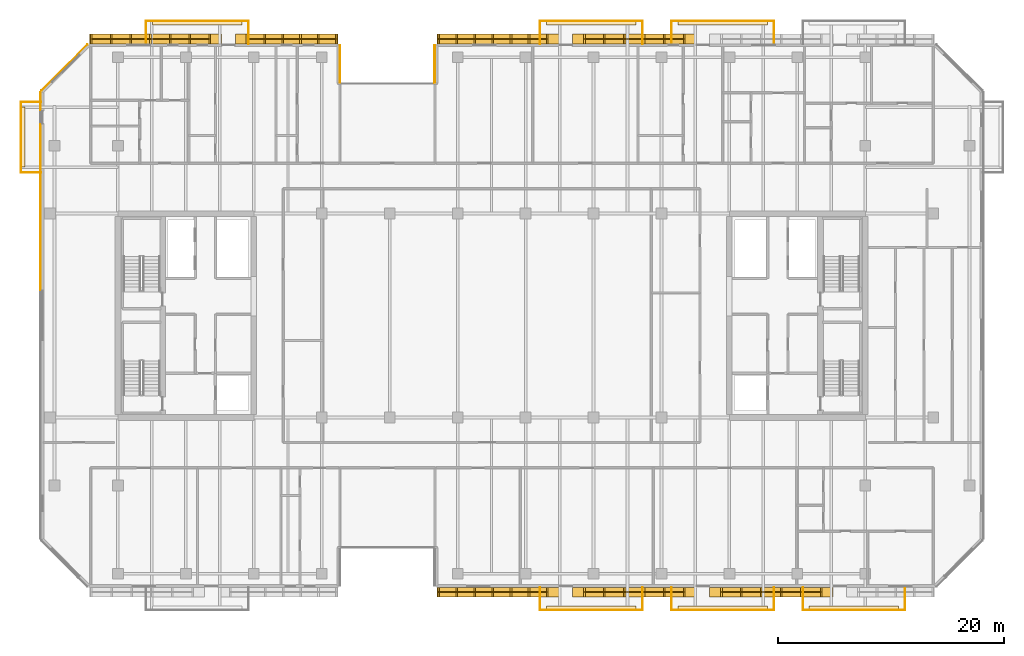
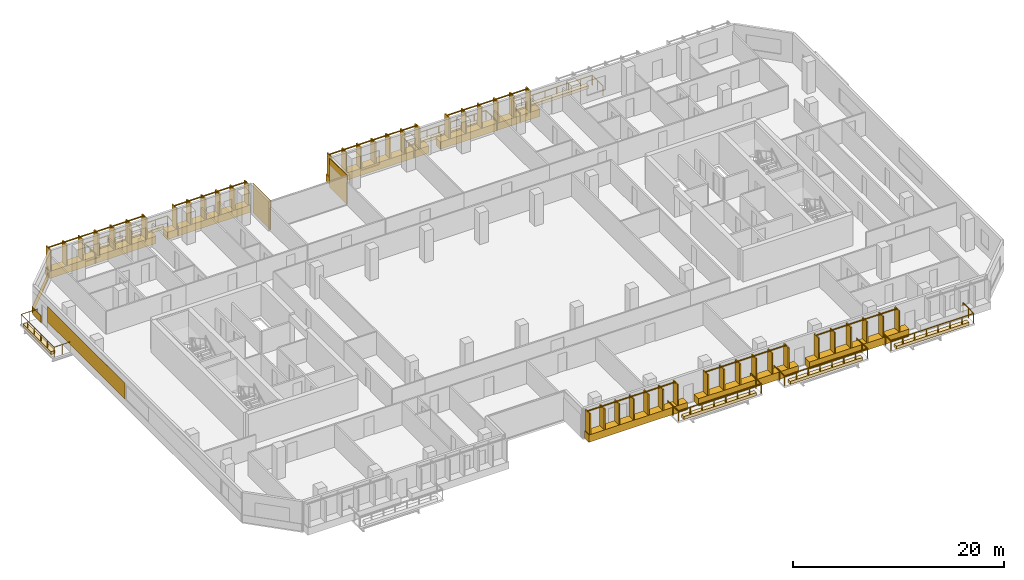
# One storey, part 20 of 22: 19 coverings, 14 railings.
"""IFC4 building model written with IfcOpenShell, lengths in metres."""

from ifc_helpers import new_model, si_unit, direction, frame, origin, origin_2d, place, context, subcontext, project, spatial, polyline, rectangle, outline, extrude, material, layer, layer_set, type_object, element, save


model = new_model("IFC4")

# Units and contexts
model_context = context("Model", 3, precision=1e-05, world=origin(), true_north=direction((0.0, 1.0)))
body_context = subcontext(model_context, "Body", "Model", "MODEL_VIEW")
ifc_project = project(units=[si_unit("LENGTHUNIT", "METRE"), si_unit("AREAUNIT", "SQUARE_METRE"), si_unit("VOLUMEUNIT", "CUBIC_METRE"), si_unit("PLANEANGLEUNIT", "RADIAN"), si_unit("MASSUNIT", "GRAM", prefix="KILO")], contexts=[model_context])

# Site, building, storey
site_placement = place(None, origin())
site = spatial("IfcSite", under=ifc_project, at=site_placement, CompositionType="ELEMENT")
building_placement = place(site_placement, origin())
building = spatial("IfcBuilding", under=site, at=building_placement, Name="Tanjung Sevakor Pilgrim Tower", CompositionType="ELEMENT")
storey_placement = place(building_placement, frame((0.0, 0.0, 115.830078125)))
storey = spatial("IfcBuildingStorey", under=building, at=storey_placement, Name="L32", CompositionType="ELEMENT", Elevation=115.830078125)

# Coverings
ifc_material_1 = material(Name="Reconstructed Limestone Cladding", Category="masonry")
ifc_layer_1 = layer(ifc_material_1, 0.044921875)
ifc_layer_set_1 = layer_set([ifc_layer_1], Name="COV-CLAD-LIMESTONE")
covering_type_1 = type_object("IfcCoveringType", Name="COV-CLAD-LIMESTONE", PredefinedType="CLADDING", material=ifc_layer_set_1)
covering_1_placement = place(storey_placement, frame((57.552490234375, 9.169921875, 0.009765625), z_axis=(0.0, 0.0, 1.0), x_axis=(1.0, 0.0, 0.0)))
element("IfcCovering", 1, at=covering_1_placement, inside=storey, type_object=covering_type_1, Name="L32 Warm Limestone Sill Spandrel EW-L32-MAIN-5-1", PredefinedType="CLADDING", context=body_context, shape_type="SweptSolid", body=[
    extrude(rectangle(XDim=10.77490234375, YDim=0.860107421875, at=origin_2d()), origin(), (0.0, 0.0, 1.0), 0.840087890625),
])
for number, where, z_axis, x_axis, name in (
    (2, (69.60009765625, 9.169921875, 0.009765625), (0.0, 0.0, 1.0), (1.0, 0.0, 0.0), "L32 Warm Limestone Sill Spandrel EW-L32-MAIN-5-2"),
    (3, (81.699951171875, 9.169921875, 0.009765625), (0.0, 0.0, 1.0), (1.0, 0.0, 0.0), "L32 Warm Limestone Sill Spandrel EW-L32-MAIN-5-3"),
    (4, (69.60009765625, 58.030029296875, 0.009765625), (0.0, 0.0, 1.0), (-1.0, 0.0, 0.0), "L32 Warm Limestone Sill Spandrel EW-L32-MAIN-9-3"),
):
    element("IfcCovering", number, at=place(storey_placement, frame(where, z_axis=z_axis, x_axis=x_axis)), inside=storey, type_object=covering_type_1, Name=name, PredefinedType="CLADDING", context=body_context, shape_type="SweptSolid", body=[
        extrude(rectangle(XDim=10.8798828125, YDim=0.860107421875, at=origin_2d()), origin(), (0.0, 0.0, 1.0), 0.840087890625),
    ])
covering_2_placement = place(storey_placement, frame((57.552490234375, 58.030029296875, 0.009765625), z_axis=(0.0, 0.0, 1.0), x_axis=(-1.0, 0.0, 0.0)))
element("IfcCovering", 5, at=covering_2_placement, inside=storey, type_object=covering_type_1, Name="L32 Warm Limestone Sill Spandrel EW-L32-MAIN-9-4", PredefinedType="CLADDING", context=body_context, shape_type="SweptSolid", body=[
    extrude(rectangle(XDim=10.77490234375, YDim=0.860107421875, at=origin_2d()), origin(), (0.0, 0.0, 1.0), 0.840087890625),
])
for number, where, z_axis, x_axis, name in (
    (6, (51.9775390625, 55.77490234375, 0.019775390625), (0.0, 0.0, 1.0), (0.0, -1.0, 0.0), "L32 Warm Limestone Wall Cladding EW-L32-MAIN-10"),
    (7, (43.62255859375, 55.77490234375, 0.019775390625), (0.0, 0.0, 1.0), (0.0, 1.0, 0.0), "L32 Warm Limestone Wall Cladding EW-L32-MAIN-12"),
):
    element("IfcCovering", number, at=place(storey_placement, frame(where, z_axis=z_axis, x_axis=x_axis)), inside=storey, type_object=covering_type_1, Name=name, PredefinedType="CLADDING", context=body_context, shape_type="SweptSolid", body=[
        extrude(rectangle(XDim=3.360107421875, YDim=0.044921875, at=origin_2d()), origin(), (0.0, 0.0, 1.0), 3.3701171875),
    ])
covering_3_placement = place(storey_placement, frame((38.8974609375, 58.030029296875, 0.009765625), z_axis=(0.0, 0.0, 1.0), x_axis=(-1.0, 0.0, 0.0)))
element("IfcCovering", 8, at=covering_3_placement, inside=storey, type_object=covering_type_1, Name="L32 Warm Limestone Sill Spandrel EW-L32-MAIN-13-1", PredefinedType="CLADDING", context=body_context, shape_type="SweptSolid", body=[
    extrude(rectangle(XDim=9.074951171875, YDim=0.860107421875, at=origin_2d()), origin(), (0.0, 0.0, 1.0), 0.840087890625),
])
covering_4_placement = place(storey_placement, frame((27.31591796875, 58.030029296875, 0.009765625), z_axis=(0.0, 0.0, 1.0), x_axis=(-1.0, 0.0, 0.0)))
element("IfcCovering", 9, at=covering_4_placement, inside=storey, type_object=covering_type_1, Name="L32 Warm Limestone Sill Spandrel EW-L32-MAIN-13-2", PredefinedType="CLADDING", context=body_context, shape_type="SweptSolid", body=[
    extrude(rectangle(XDim=11.648193359375, YDim=0.860107421875, at=origin_2d()), origin(), (0.0, 0.0, 1.0), 0.840087890625),
])
covering_5_placement = place(storey_placement, frame((19.2841796875, 55.515869140625, 0.009765625), z_axis=(0.0, 0.0, 1.0), x_axis=(-0.707106781187, -0.707106781187, 0.0)))
element("IfcCovering", 10, at=covering_5_placement, inside=storey, type_object=covering_type_1, Name="L32 Warm Limestone Sill Spandrel EW-CHM-L32-MAIN-13-1", PredefinedType="CLADDING", context=body_context, shape_type="SweptSolid", body=[
    extrude(rectangle(XDim=5.756103515625, YDim=0.044921875, at=origin_2d()), origin(), (0.0, 0.0, 1.0), 0.840087890625),
])
covering_6_placement = place(storey_placement, frame((17.177490234375, 52.509033203125, 0.009765625), z_axis=(0.0, 0.0, 1.0), x_axis=(0.0, -1.0, 0.0)))
element("IfcCovering", 11, at=covering_6_placement, inside=storey, type_object=covering_type_1, Name="L32 Warm Limestone Sill Spandrel EW-L32-MAIN-15-1", PredefinedType="CLADDING", context=body_context, shape_type="SweptSolid", body=[
    extrude(rectangle(XDim=1.59814453125, YDim=0.044921875, at=origin_2d()), origin(), (0.0, 0.0, 1.0), 0.840087890625),
])
covering_7_placement = place(storey_placement, frame((17.177490234375, 43.175048828125, 0.849853515625), z_axis=(0.0, 0.0, 1.0), x_axis=(0.0, -1.0, 0.0)))
element("IfcCovering", 12, at=covering_7_placement, inside=storey, type_object=covering_type_1, Name="L32 Warm Limestone Pier Panel EW-L32-MAIN-15-1", PredefinedType="CLADDING", context=body_context, shape_type="SweptSolid", body=[
    extrude(rectangle(XDim=14.64990234375, YDim=0.044921875, at=origin_2d()), origin(), (0.0, 0.0, 1.0), 1.81005859375),
])
ifc_material_2 = material(Name="Vegetated Modular Planter Assembly", Category="organic")
ifc_layer_2 = layer(ifc_material_2, 0.35009765625)
ifc_layer_set_2 = layer_set([ifc_layer_2], Name="COV-GRN-TROUGH")
covering_type_2 = type_object("IfcCoveringType", Name="COV-GRN-TROUGH", PredefinedType="CLADDING", material=ifc_layer_set_2)
covering_8_placement = place(storey_placement, origin())
element("IfcCovering", 13, at=covering_8_placement, inside=storey, type_object=covering_type_2, Name="L32 Planted Landscape Hedge Trough BGRN-L32-MAIN-N1", PredefinedType="CLADDING", context=body_context, shape_type="SweptSolid", body=[
    extrude(outline(polyline([(27.050048828125, 59.260009765625), (34.949951171875, 59.260009765625), (34.949951171875, 59.699951171875), (27.050048828125, 59.699951171875), (27.050048828125, 59.260009765625)])), origin(), (0.0, 0.0, 1.0), 0.349853515625),
])
covering_9_placement = place(storey_placement, origin())
element("IfcCovering", 14, at=covering_9_placement, inside=storey, type_object=covering_type_2, Name="L32 Planted Landscape Hedge Trough BGRN-L32-MAIN-S2", PredefinedType="CLADDING", context=body_context, shape_type="SweptSolid", body=[
    extrude(outline(polyline([(61.85009765625, 7.5), (69.75, 7.5), (69.75, 7.93994140625), (61.85009765625, 7.93994140625), (61.85009765625, 7.5)])), origin(), (0.0, 0.0, 1.0), 0.349853515625),
])
covering_10_placement = place(storey_placement, origin())
element("IfcCovering", 15, at=covering_10_placement, inside=storey, type_object=covering_type_2, Name="L32 Planted Landscape Hedge Trough BGRN-L32-MAIN-N2", PredefinedType="CLADDING", context=body_context, shape_type="SweptSolid", body=[
    extrude(outline(polyline([(61.85009765625, 59.260009765625), (69.75, 59.260009765625), (69.75, 59.699951171875), (61.85009765625, 59.699951171875), (61.85009765625, 59.260009765625)])), origin(), (0.0, 0.0, 1.0), 0.349853515625),
])
covering_11_placement = place(storey_placement, origin())
element("IfcCovering", 16, at=covering_11_placement, inside=storey, type_object=covering_type_2, Name="L32 Planted Landscape Hedge Trough BGRN-L32-MAIN-S3", PredefinedType="CLADDING", context=body_context, shape_type="SweptSolid", body=[
    extrude(outline(polyline([(73.449951171875, 7.5), (81.35009765625, 7.5), (81.35009765625, 7.93994140625), (73.449951171875, 7.93994140625), (73.449951171875, 7.5)])), origin(), (0.0, 0.0, 1.0), 0.349853515625),
])
covering_12_placement = place(storey_placement, origin())
element("IfcCovering", 17, at=covering_12_placement, inside=storey, type_object=covering_type_2, Name="L32 Planted Landscape Hedge Trough BGRN-L32-MAIN-N3", PredefinedType="CLADDING", context=body_context, shape_type="SweptSolid", body=[
    extrude(outline(polyline([(73.449951171875, 59.260009765625), (81.35009765625, 59.260009765625), (81.35009765625, 59.699951171875), (73.449951171875, 59.699951171875), (73.449951171875, 59.260009765625)])), origin(), (0.0, 0.0, 1.0), 0.349853515625),
])
covering_13_placement = place(storey_placement, origin())
element("IfcCovering", 18, at=covering_13_placement, inside=storey, type_object=covering_type_2, Name="L32 Planted Landscape Hedge Trough BGRN-L32-MAIN-S4", PredefinedType="CLADDING", context=body_context, shape_type="SweptSolid", body=[
    extrude(outline(polyline([(85.050048828125, 7.5), (92.949951171875, 7.5), (92.949951171875, 7.93994140625), (85.050048828125, 7.93994140625), (85.050048828125, 7.5)])), origin(), (0.0, 0.0, 1.0), 0.349853515625),
])
covering_14_placement = place(storey_placement, origin())
element("IfcCovering", 19, at=covering_14_placement, inside=storey, type_object=covering_type_2, Name="L32 Planted Landscape Hedge Trough BGRN-L32-MAIN-W1", PredefinedType="CLADDING", context=body_context, shape_type="SweptSolid", body=[
    extrude(outline(polyline([(15.7900390625, 46.699951171875), (15.7900390625, 52.0), (15.35009765625, 52.0), (15.35009765625, 46.699951171875), (15.7900390625, 46.699951171875)])), origin(), (0.0, 0.0, 1.0), 0.349853515625),
])

# Railings
ifc_material_3 = material(Name="Laminated Glass and Aluminium", Category="aluminium")
railing_type_1 = type_object("IfcRailingType", Name="RL-BAL-BALUST", PredefinedType="BALUSTRADE", material=ifc_material_3)
railing_1_placement = place(storey_placement, frame((26.47998046875, 57.60009765625, 0.0)))
element("IfcRailing", 20, at=railing_1_placement, inside=storey, type_object=railing_type_1, Name="L32 Loggia Balustrade MAIN-N1", PredefinedType="BALUSTRADE", context=body_context, shape_type="SweptSolid", body=[
    extrude(rectangle(XDim=0.0479, YDim=0.0479), frame((0.0, 0.0, 1.1259765625), z_axis=(0.0, 1.0, 0.0), x_axis=(-1.0, 0.0, 0.0)), (0.0, 0.0, 1.0), 2.02001953125),
    extrude(rectangle(XDim=0.0479, YDim=0.0479), frame((0.0, 2.02001953125, 1.1259765625), z_axis=(1.0, 0.0, 0.0), x_axis=(0.0, 1.0, 0.0)), (0.0, 0.0, 1.0), 9.0400390625),
    extrude(rectangle(XDim=0.0479, YDim=0.0479), frame((9.0400390625, 2.02001953125, 1.1259765625), z_axis=(0.0, -1.0, 0.0), x_axis=(1.0, 0.0, 0.0)), (0.0, 0.0, 1.0), 2.02001953125),
    extrude(rectangle(XDim=0.042, YDim=0.042), origin(), (0.0, 0.0, 1.0), 1.101806640625),
    extrude(rectangle(XDim=0.042, YDim=0.042), frame((0.0, 1.010009765625, 0.0)), (0.0, 0.0, 1.0), 1.101806640625),
    extrude(rectangle(XDim=0.042, YDim=0.042), frame((0.0, 2.02001953125, 0.0)), (0.0, 0.0, 1.0), 1.101806640625),
    extrude(rectangle(XDim=0.042, YDim=0.042), frame((1.29150390625, 2.02001953125, 0.0)), (0.0, 0.0, 1.0), 1.101806640625),
    extrude(rectangle(XDim=0.042, YDim=0.042), frame((2.582763671875, 2.02001953125, 0.0)), (0.0, 0.0, 1.0), 1.101806640625),
    extrude(rectangle(XDim=0.042, YDim=0.042), frame((3.874267578125, 2.02001953125, 0.0)), (0.0, 0.0, 1.0), 1.101806640625),
    extrude(rectangle(XDim=0.042, YDim=0.042), frame((5.165771484375, 2.02001953125, 0.0)), (0.0, 0.0, 1.0), 1.101806640625),
    extrude(rectangle(XDim=0.042, YDim=0.042), frame((6.457275390625, 2.02001953125, 0.0)), (0.0, 0.0, 1.0), 1.101806640625),
    extrude(rectangle(XDim=0.042, YDim=0.042), frame((7.74853515625, 2.02001953125, 0.0)), (0.0, 0.0, 1.0), 1.101806640625),
    extrude(rectangle(XDim=0.042, YDim=0.042), frame((9.0400390625, 2.02001953125, 0.0)), (0.0, 0.0, 1.0), 1.101806640625),
    extrude(rectangle(XDim=0.042, YDim=0.042), frame((9.0400390625, 1.010009765625, 0.0)), (0.0, 0.0, 1.0), 1.101806640625),
    extrude(rectangle(XDim=0.042, YDim=0.042), frame((9.0400390625, 0.0, 0.0)), (0.0, 0.0, 1.0), 1.101806640625),
])
railing_2_placement = place(storey_placement, frame((61.280029296875, 9.60009765625, 0.0)))
element("IfcRailing", 21, at=railing_2_placement, inside=storey, type_object=railing_type_1, Name="L32 Loggia Balustrade MAIN-S2", PredefinedType="BALUSTRADE", context=body_context, shape_type="SweptSolid", body=[
    extrude(rectangle(XDim=0.0479, YDim=0.0479), frame((0.0, 0.0, 1.1259765625), z_axis=(0.0, -1.0, 0.0), x_axis=(1.0, 0.0, 0.0)), (0.0, 0.0, 1.0), 2.02001953125),
    extrude(rectangle(XDim=0.0479, YDim=0.0479), frame((0.0, -2.02001953125, 1.1259765625), z_axis=(1.0, 0.0, 0.0), x_axis=(0.0, 1.0, 0.0)), (0.0, 0.0, 1.0), 9.0400390625),
    extrude(rectangle(XDim=0.0479, YDim=0.0479), frame((9.0400390625, -2.02001953125, 1.1259765625), z_axis=(0.0, 1.0, 0.0), x_axis=(-1.0, 0.0, 0.0)), (0.0, 0.0, 1.0), 2.02001953125),
    extrude(rectangle(XDim=0.042, YDim=0.042), origin(), (0.0, 0.0, 1.0), 1.101806640625),
    extrude(rectangle(XDim=0.042, YDim=0.042), frame((0.0, -1.010009765625, 0.0)), (0.0, 0.0, 1.0), 1.101806640625),
    extrude(rectangle(XDim=0.042, YDim=0.042), frame((0.0, -2.02001953125, 0.0)), (0.0, 0.0, 1.0), 1.101806640625),
    extrude(rectangle(XDim=0.042, YDim=0.042), frame((1.29150390625, -2.02001953125, 0.0)), (0.0, 0.0, 1.0), 1.101806640625),
    extrude(rectangle(XDim=0.042, YDim=0.042), frame((2.582763671875, -2.02001953125, 0.0)), (0.0, 0.0, 1.0), 1.101806640625),
    extrude(rectangle(XDim=0.042, YDim=0.042), frame((3.874267578125, -2.02001953125, 0.0)), (0.0, 0.0, 1.0), 1.101806640625),
    extrude(rectangle(XDim=0.042, YDim=0.042), frame((5.165771484375, -2.02001953125, 0.0)), (0.0, 0.0, 1.0), 1.101806640625),
    extrude(rectangle(XDim=0.042, YDim=0.042), frame((6.457275390625, -2.02001953125, 0.0)), (0.0, 0.0, 1.0), 1.101806640625),
    extrude(rectangle(XDim=0.042, YDim=0.042), frame((7.74853515625, -2.02001953125, 0.0)), (0.0, 0.0, 1.0), 1.101806640625),
    extrude(rectangle(XDim=0.042, YDim=0.042), frame((9.0400390625, -2.02001953125, 0.0)), (0.0, 0.0, 1.0), 1.101806640625),
    extrude(rectangle(XDim=0.042, YDim=0.042), frame((9.0400390625, -1.010009765625, 0.0)), (0.0, 0.0, 1.0), 1.101806640625),
    extrude(rectangle(XDim=0.042, YDim=0.042), frame((9.0400390625, 0.0, 0.0)), (0.0, 0.0, 1.0), 1.101806640625),
])
railing_3_placement = place(storey_placement, frame((61.280029296875, 57.60009765625, 0.0)))
element("IfcRailing", 22, at=railing_3_placement, inside=storey, type_object=railing_type_1, Name="L32 Loggia Balustrade MAIN-N2", PredefinedType="BALUSTRADE", context=body_context, shape_type="SweptSolid", body=[
    extrude(rectangle(XDim=0.0479, YDim=0.0479), frame((0.0, 0.0, 1.1259765625), z_axis=(0.0, 1.0, 0.0), x_axis=(-1.0, 0.0, 0.0)), (0.0, 0.0, 1.0), 2.02001953125),
    extrude(rectangle(XDim=0.0479, YDim=0.0479), frame((0.0, 2.02001953125, 1.1259765625), z_axis=(1.0, 0.0, 0.0), x_axis=(0.0, 1.0, 0.0)), (0.0, 0.0, 1.0), 9.0400390625),
    extrude(rectangle(XDim=0.0479, YDim=0.0479), frame((9.0400390625, 2.02001953125, 1.1259765625), z_axis=(0.0, -1.0, 0.0), x_axis=(1.0, 0.0, 0.0)), (0.0, 0.0, 1.0), 2.02001953125),
    extrude(rectangle(XDim=0.042, YDim=0.042), origin(), (0.0, 0.0, 1.0), 1.101806640625),
    extrude(rectangle(XDim=0.042, YDim=0.042), frame((0.0, 1.010009765625, 0.0)), (0.0, 0.0, 1.0), 1.101806640625),
    extrude(rectangle(XDim=0.042, YDim=0.042), frame((0.0, 2.02001953125, 0.0)), (0.0, 0.0, 1.0), 1.101806640625),
    extrude(rectangle(XDim=0.042, YDim=0.042), frame((1.29150390625, 2.02001953125, 0.0)), (0.0, 0.0, 1.0), 1.101806640625),
    extrude(rectangle(XDim=0.042, YDim=0.042), frame((2.582763671875, 2.02001953125, 0.0)), (0.0, 0.0, 1.0), 1.101806640625),
    extrude(rectangle(XDim=0.042, YDim=0.042), frame((3.874267578125, 2.02001953125, 0.0)), (0.0, 0.0, 1.0), 1.101806640625),
    extrude(rectangle(XDim=0.042, YDim=0.042), frame((5.165771484375, 2.02001953125, 0.0)), (0.0, 0.0, 1.0), 1.101806640625),
    extrude(rectangle(XDim=0.042, YDim=0.042), frame((6.457275390625, 2.02001953125, 0.0)), (0.0, 0.0, 1.0), 1.101806640625),
    extrude(rectangle(XDim=0.042, YDim=0.042), frame((7.74853515625, 2.02001953125, 0.0)), (0.0, 0.0, 1.0), 1.101806640625),
    extrude(rectangle(XDim=0.042, YDim=0.042), frame((9.0400390625, 2.02001953125, 0.0)), (0.0, 0.0, 1.0), 1.101806640625),
    extrude(rectangle(XDim=0.042, YDim=0.042), frame((9.0400390625, 1.010009765625, 0.0)), (0.0, 0.0, 1.0), 1.101806640625),
    extrude(rectangle(XDim=0.042, YDim=0.042), frame((9.0400390625, 0.0, 0.0)), (0.0, 0.0, 1.0), 1.101806640625),
])
railing_4_placement = place(storey_placement, frame((72.8798828125, 9.60009765625, 0.0)))
element("IfcRailing", 23, at=railing_4_placement, inside=storey, type_object=railing_type_1, Name="L32 Loggia Balustrade MAIN-S3", PredefinedType="BALUSTRADE", context=body_context, shape_type="SweptSolid", body=[
    extrude(rectangle(XDim=0.0479, YDim=0.0479), frame((0.0, 0.0, 1.1259765625), z_axis=(0.0, -1.0, 0.0), x_axis=(1.0, 0.0, 0.0)), (0.0, 0.0, 1.0), 2.02001953125),
    extrude(rectangle(XDim=0.0479, YDim=0.0479), frame((0.0, -2.02001953125, 1.1259765625), z_axis=(1.0, 0.0, 0.0), x_axis=(0.0, 1.0, 0.0)), (0.0, 0.0, 1.0), 9.0400390625),
    extrude(rectangle(XDim=0.0479, YDim=0.0479), frame((9.0400390625, -2.02001953125, 1.1259765625), z_axis=(0.0, 1.0, 0.0), x_axis=(-1.0, 0.0, 0.0)), (0.0, 0.0, 1.0), 2.02001953125),
    extrude(rectangle(XDim=0.042, YDim=0.042), origin(), (0.0, 0.0, 1.0), 1.101806640625),
    extrude(rectangle(XDim=0.042, YDim=0.042), frame((0.0, -1.010009765625, 0.0)), (0.0, 0.0, 1.0), 1.101806640625),
    extrude(rectangle(XDim=0.042, YDim=0.042), frame((0.0, -2.02001953125, 0.0)), (0.0, 0.0, 1.0), 1.101806640625),
    extrude(rectangle(XDim=0.042, YDim=0.042), frame((1.29150390625, -2.02001953125, 0.0)), (0.0, 0.0, 1.0), 1.101806640625),
    extrude(rectangle(XDim=0.042, YDim=0.042), frame((2.582763671875, -2.02001953125, 0.0)), (0.0, 0.0, 1.0), 1.101806640625),
    extrude(rectangle(XDim=0.042, YDim=0.042), frame((3.874267578125, -2.02001953125, 0.0)), (0.0, 0.0, 1.0), 1.101806640625),
    extrude(rectangle(XDim=0.042, YDim=0.042), frame((5.165771484375, -2.02001953125, 0.0)), (0.0, 0.0, 1.0), 1.101806640625),
    extrude(rectangle(XDim=0.042, YDim=0.042), frame((6.457275390625, -2.02001953125, 0.0)), (0.0, 0.0, 1.0), 1.101806640625),
    extrude(rectangle(XDim=0.042, YDim=0.042), frame((7.74853515625, -2.02001953125, 0.0)), (0.0, 0.0, 1.0), 1.101806640625),
    extrude(rectangle(XDim=0.042, YDim=0.042), frame((9.0400390625, -2.02001953125, 0.0)), (0.0, 0.0, 1.0), 1.101806640625),
    extrude(rectangle(XDim=0.042, YDim=0.042), frame((9.0400390625, -1.010009765625, 0.0)), (0.0, 0.0, 1.0), 1.101806640625),
    extrude(rectangle(XDim=0.042, YDim=0.042), frame((9.0400390625, 0.0, 0.0)), (0.0, 0.0, 1.0), 1.101806640625),
])
railing_5_placement = place(storey_placement, frame((72.8798828125, 57.60009765625, 0.0)))
element("IfcRailing", 24, at=railing_5_placement, inside=storey, type_object=railing_type_1, Name="L32 Loggia Balustrade MAIN-N3", PredefinedType="BALUSTRADE", context=body_context, shape_type="SweptSolid", body=[
    extrude(rectangle(XDim=0.0479, YDim=0.0479), frame((0.0, 0.0, 1.1259765625), z_axis=(0.0, 1.0, 0.0), x_axis=(-1.0, 0.0, 0.0)), (0.0, 0.0, 1.0), 2.02001953125),
    extrude(rectangle(XDim=0.0479, YDim=0.0479), frame((0.0, 2.02001953125, 1.1259765625), z_axis=(1.0, 0.0, 0.0), x_axis=(0.0, 1.0, 0.0)), (0.0, 0.0, 1.0), 9.0400390625),
    extrude(rectangle(XDim=0.0479, YDim=0.0479), frame((9.0400390625, 2.02001953125, 1.1259765625), z_axis=(0.0, -1.0, 0.0), x_axis=(1.0, 0.0, 0.0)), (0.0, 0.0, 1.0), 2.02001953125),
    extrude(rectangle(XDim=0.042, YDim=0.042), origin(), (0.0, 0.0, 1.0), 1.101806640625),
    extrude(rectangle(XDim=0.042, YDim=0.042), frame((0.0, 1.010009765625, 0.0)), (0.0, 0.0, 1.0), 1.101806640625),
    extrude(rectangle(XDim=0.042, YDim=0.042), frame((0.0, 2.02001953125, 0.0)), (0.0, 0.0, 1.0), 1.101806640625),
    extrude(rectangle(XDim=0.042, YDim=0.042), frame((1.29150390625, 2.02001953125, 0.0)), (0.0, 0.0, 1.0), 1.101806640625),
    extrude(rectangle(XDim=0.042, YDim=0.042), frame((2.582763671875, 2.02001953125, 0.0)), (0.0, 0.0, 1.0), 1.101806640625),
    extrude(rectangle(XDim=0.042, YDim=0.042), frame((3.874267578125, 2.02001953125, 0.0)), (0.0, 0.0, 1.0), 1.101806640625),
    extrude(rectangle(XDim=0.042, YDim=0.042), frame((5.165771484375, 2.02001953125, 0.0)), (0.0, 0.0, 1.0), 1.101806640625),
    extrude(rectangle(XDim=0.042, YDim=0.042), frame((6.457275390625, 2.02001953125, 0.0)), (0.0, 0.0, 1.0), 1.101806640625),
    extrude(rectangle(XDim=0.042, YDim=0.042), frame((7.74853515625, 2.02001953125, 0.0)), (0.0, 0.0, 1.0), 1.101806640625),
    extrude(rectangle(XDim=0.042, YDim=0.042), frame((9.0400390625, 2.02001953125, 0.0)), (0.0, 0.0, 1.0), 1.101806640625),
    extrude(rectangle(XDim=0.042, YDim=0.042), frame((9.0400390625, 1.010009765625, 0.0)), (0.0, 0.0, 1.0), 1.101806640625),
    extrude(rectangle(XDim=0.042, YDim=0.042), frame((9.0400390625, 0.0, 0.0)), (0.0, 0.0, 1.0), 1.101806640625),
])
railing_6_placement = place(storey_placement, frame((84.47998046875, 9.60009765625, 0.0)))
element("IfcRailing", 25, at=railing_6_placement, inside=storey, type_object=railing_type_1, Name="L32 Loggia Balustrade MAIN-S4", PredefinedType="BALUSTRADE", context=body_context, shape_type="SweptSolid", body=[
    extrude(rectangle(XDim=0.0479, YDim=0.0479), frame((0.0, 0.0, 1.1259765625), z_axis=(0.0, -1.0, 0.0), x_axis=(1.0, 0.0, 0.0)), (0.0, 0.0, 1.0), 2.02001953125),
    extrude(rectangle(XDim=0.0479, YDim=0.0479), frame((0.0, -2.02001953125, 1.1259765625), z_axis=(1.0, 0.0, 0.0), x_axis=(0.0, 1.0, 0.0)), (0.0, 0.0, 1.0), 9.0400390625),
    extrude(rectangle(XDim=0.0479, YDim=0.0479), frame((9.0400390625, -2.02001953125, 1.1259765625), z_axis=(0.0, 1.0, 0.0), x_axis=(-1.0, 0.0, 0.0)), (0.0, 0.0, 1.0), 2.02001953125),
    extrude(rectangle(XDim=0.042, YDim=0.042), origin(), (0.0, 0.0, 1.0), 1.101806640625),
    extrude(rectangle(XDim=0.042, YDim=0.042), frame((0.0, -1.010009765625, 0.0)), (0.0, 0.0, 1.0), 1.101806640625),
    extrude(rectangle(XDim=0.042, YDim=0.042), frame((0.0, -2.02001953125, 0.0)), (0.0, 0.0, 1.0), 1.101806640625),
    extrude(rectangle(XDim=0.042, YDim=0.042), frame((1.29150390625, -2.02001953125, 0.0)), (0.0, 0.0, 1.0), 1.101806640625),
    extrude(rectangle(XDim=0.042, YDim=0.042), frame((2.582763671875, -2.02001953125, 0.0)), (0.0, 0.0, 1.0), 1.101806640625),
    extrude(rectangle(XDim=0.042, YDim=0.042), frame((3.874267578125, -2.02001953125, 0.0)), (0.0, 0.0, 1.0), 1.101806640625),
    extrude(rectangle(XDim=0.042, YDim=0.042), frame((5.165771484375, -2.02001953125, 0.0)), (0.0, 0.0, 1.0), 1.101806640625),
    extrude(rectangle(XDim=0.042, YDim=0.042), frame((6.457275390625, -2.02001953125, 0.0)), (0.0, 0.0, 1.0), 1.101806640625),
    extrude(rectangle(XDim=0.042, YDim=0.042), frame((7.74853515625, -2.02001953125, 0.0)), (0.0, 0.0, 1.0), 1.101806640625),
    extrude(rectangle(XDim=0.042, YDim=0.042), frame((9.0400390625, -2.02001953125, 0.0)), (0.0, 0.0, 1.0), 1.101806640625),
    extrude(rectangle(XDim=0.042, YDim=0.042), frame((9.0400390625, -1.010009765625, 0.0)), (0.0, 0.0, 1.0), 1.101806640625),
    extrude(rectangle(XDim=0.042, YDim=0.042), frame((9.0400390625, 0.0, 0.0)), (0.0, 0.0, 1.0), 1.101806640625),
])
railing_7_placement = place(storey_placement, frame((17.199951171875, 46.22998046875, 0.0)))
element("IfcRailing", 26, at=railing_7_placement, inside=storey, type_object=railing_type_1, Name="L32 Loggia Balustrade MAIN-W1", PredefinedType="BALUSTRADE", context=body_context, shape_type="SweptSolid", body=[
    extrude(rectangle(XDim=0.0479, YDim=0.0479), frame((0.0, 0.0, 1.1259765625), z_axis=(-1.0, 0.0, 0.0), x_axis=(0.0, -1.0, 0.0)), (0.0, 0.0, 1.0), 1.77001953125),
    extrude(rectangle(XDim=0.0479, YDim=0.0479), frame((-1.77001953125, 0.0, 1.1259765625), z_axis=(0.0, 1.0, 0.0), x_axis=(-1.0, 0.0, 0.0)), (0.0, 0.0, 1.0), 6.239990234375),
    extrude(rectangle(XDim=0.0479, YDim=0.0479), frame((-1.77001953125, 6.239990234375, 1.1259765625), z_axis=(1.0, 0.0, 0.0), x_axis=(0.0, 1.0, 0.0)), (0.0, 0.0, 1.0), 1.77001953125),
    extrude(rectangle(XDim=0.042, YDim=0.042), origin(), (0.0, 0.0, 1.0), 1.101806640625),
    extrude(rectangle(XDim=0.042, YDim=0.042), frame((-0.885009765625, 0.0, 0.0)), (0.0, 0.0, 1.0), 1.101806640625),
    extrude(rectangle(XDim=0.042, YDim=0.042), frame((-1.77001953125, 0.0, 0.0)), (0.0, 0.0, 1.0), 1.101806640625),
    extrude(rectangle(XDim=0.042, YDim=0.042), frame((-1.77001953125, 1.248046875, 0.0)), (0.0, 0.0, 1.0), 1.101806640625),
    extrude(rectangle(XDim=0.042, YDim=0.042), frame((-1.77001953125, 2.49609375, 0.0)), (0.0, 0.0, 1.0), 1.101806640625),
    extrude(rectangle(XDim=0.042, YDim=0.042), frame((-1.77001953125, 3.743896484375, 0.0)), (0.0, 0.0, 1.0), 1.101806640625),
    extrude(rectangle(XDim=0.042, YDim=0.042), frame((-1.77001953125, 4.991943359375, 0.0)), (0.0, 0.0, 1.0), 1.101806640625),
    extrude(rectangle(XDim=0.042, YDim=0.042), frame((-1.77001953125, 6.239990234375, 0.0)), (0.0, 0.0, 1.0), 1.101806640625),
    extrude(rectangle(XDim=0.042, YDim=0.042), frame((-0.885009765625, 6.239990234375, 0.0)), (0.0, 0.0, 1.0), 1.101806640625),
    extrude(rectangle(XDim=0.042, YDim=0.042), frame((0.0, 6.239990234375, 0.0)), (0.0, 0.0, 1.0), 1.101806640625),
])
ifc_material_4 = material(Name="Anodised Bronze Aluminium 6063-T6", Category="aluminium")
railing_type_2 = type_object("IfcRailingType", Name="RL-FIN-SCREEN", PredefinedType="BALUSTRADE", material=ifc_material_4)
railing_8_placement = place(storey_placement, frame((52.324951171875, 9.175048828125, 0.83984375)))
element("IfcRailing", 27, at=railing_8_placement, inside=storey, type_object=railing_type_2, Name="L32 Vertical Bronze-Gold Solar Fin Screen FNSCR-EW-L32-MAIN-5-1", PredefinedType="BALUSTRADE", context=body_context, shape_type="SweptSolid", body=[
    extrude(rectangle(XDim=0.105, YDim=0.105), frame((0.0, 0.0, 2.487548828125), z_axis=(1.0, 0.0, 0.0), x_axis=(0.0, 1.0, 0.0)), (0.0, 0.0, 1.0), 9.574951171875),
    extrude(rectangle(XDim=0.14, YDim=0.85), origin(), (0.0, 0.0, 1.0), 2.43505859375),
    extrude(rectangle(XDim=0.14, YDim=0.85), frame((1.595703125, 0.0, 0.0)), (0.0, 0.0, 1.0), 2.43505859375),
    extrude(rectangle(XDim=0.14, YDim=0.85), frame((3.191650390625, 0.0, 0.0)), (0.0, 0.0, 1.0), 2.43505859375),
    extrude(rectangle(XDim=0.14, YDim=0.85), frame((4.78759765625, 0.0, 0.0)), (0.0, 0.0, 1.0), 2.43505859375),
    extrude(rectangle(XDim=0.14, YDim=0.85), frame((6.38330078125, 0.0, 0.0)), (0.0, 0.0, 1.0), 2.43505859375),
    extrude(rectangle(XDim=0.14, YDim=0.85), frame((7.97900390625, 0.0, 0.0)), (0.0, 0.0, 1.0), 2.43505859375),
    extrude(rectangle(XDim=0.14, YDim=0.85), frame((9.574951171875, 0.0, 0.0)), (0.0, 0.0, 1.0), 2.43505859375),
])
for number, where, name in (
    (28, (65.199951171875, 9.175048828125, 0.83984375), "L32 Vertical Bronze-Gold Solar Fin Screen FNSCR-EW-L32-MAIN-5-2"),
    (29, (77.300048828125, 9.175048828125, 0.83984375), "L32 Vertical Bronze-Gold Solar Fin Screen FNSCR-EW-L32-MAIN-5-3"),
):
    element("IfcRailing", number, at=place(storey_placement, frame(where)), inside=storey, type_object=railing_type_2, Name=name, PredefinedType="BALUSTRADE", context=body_context, shape_type="SweptSolid", body=[
        extrude(rectangle(XDim=0.105, YDim=0.105), frame((0.0, 0.0, 2.487548828125), z_axis=(1.0, 0.0, 0.0), x_axis=(0.0, 1.0, 0.0)), (0.0, 0.0, 1.0), 8.800048828125),
        extrude(rectangle(XDim=0.14, YDim=0.85), origin(), (0.0, 0.0, 1.0), 2.43505859375),
        extrude(rectangle(XDim=0.14, YDim=0.85), frame((1.760009765625, 0.0, 0.0)), (0.0, 0.0, 1.0), 2.43505859375),
        extrude(rectangle(XDim=0.14, YDim=0.85), frame((3.52001953125, 0.0, 0.0)), (0.0, 0.0, 1.0), 2.43505859375),
        extrude(rectangle(XDim=0.14, YDim=0.85), frame((5.280029296875, 0.0, 0.0)), (0.0, 0.0, 1.0), 2.43505859375),
        extrude(rectangle(XDim=0.14, YDim=0.85), frame((7.0400390625, 0.0, 0.0)), (0.0, 0.0, 1.0), 2.43505859375),
        extrude(rectangle(XDim=0.14, YDim=0.85), frame((8.800048828125, 0.0, 0.0)), (0.0, 0.0, 1.0), 2.43505859375),
    ])
railing_9_placement = place(storey_placement, frame((74.0, 58.02490234375, 0.83984375)))
element("IfcRailing", 30, at=railing_9_placement, inside=storey, type_object=railing_type_2, Name="L32 Vertical Bronze-Gold Solar Fin Screen FNSCR-EW-L32-MAIN-9-3", PredefinedType="BALUSTRADE", context=body_context, shape_type="SweptSolid", body=[
    extrude(rectangle(XDim=0.105, YDim=0.105), frame((0.0, 0.0, 2.487548828125), z_axis=(-1.0, 0.0, 0.0), x_axis=(0.0, -1.0, 0.0)), (0.0, 0.0, 1.0), 8.800048828125),
    extrude(rectangle(XDim=0.14, YDim=0.85), origin(), (0.0, 0.0, 1.0), 2.43505859375),
    extrude(rectangle(XDim=0.14, YDim=0.85), frame((-1.760009765625, 0.0, 0.0)), (0.0, 0.0, 1.0), 2.43505859375),
    extrude(rectangle(XDim=0.14, YDim=0.85), frame((-3.52001953125, 0.0, 0.0)), (0.0, 0.0, 1.0), 2.43505859375),
    extrude(rectangle(XDim=0.14, YDim=0.85), frame((-5.280029296875, 0.0, 0.0)), (0.0, 0.0, 1.0), 2.43505859375),
    extrude(rectangle(XDim=0.14, YDim=0.85), frame((-7.0400390625, 0.0, 0.0)), (0.0, 0.0, 1.0), 2.43505859375),
    extrude(rectangle(XDim=0.14, YDim=0.85), frame((-8.800048828125, 0.0, 0.0)), (0.0, 0.0, 1.0), 2.43505859375),
])
railing_10_placement = place(storey_placement, frame((61.89990234375, 58.02490234375, 0.83984375)))
element("IfcRailing", 31, at=railing_10_placement, inside=storey, type_object=railing_type_2, Name="L32 Vertical Bronze-Gold Solar Fin Screen FNSCR-EW-L32-MAIN-9-4", PredefinedType="BALUSTRADE", context=body_context, shape_type="SweptSolid", body=[
    extrude(rectangle(XDim=0.105, YDim=0.105), frame((0.0, 0.0, 2.487548828125), z_axis=(-1.0, 0.0, 0.0), x_axis=(0.0, -1.0, 0.0)), (0.0, 0.0, 1.0), 9.574951171875),
    extrude(rectangle(XDim=0.14, YDim=0.85), origin(), (0.0, 0.0, 1.0), 2.43505859375),
    extrude(rectangle(XDim=0.14, YDim=0.85), frame((-1.595703125, 0.0, 0.0)), (0.0, 0.0, 1.0), 2.43505859375),
    extrude(rectangle(XDim=0.14, YDim=0.85), frame((-3.191650390625, 0.0, 0.0)), (0.0, 0.0, 1.0), 2.43505859375),
    extrude(rectangle(XDim=0.14, YDim=0.85), frame((-4.78759765625, 0.0, 0.0)), (0.0, 0.0, 1.0), 2.43505859375),
    extrude(rectangle(XDim=0.14, YDim=0.85), frame((-6.38330078125, 0.0, 0.0)), (0.0, 0.0, 1.0), 2.43505859375),
    extrude(rectangle(XDim=0.14, YDim=0.85), frame((-7.97900390625, 0.0, 0.0)), (0.0, 0.0, 1.0), 2.43505859375),
    extrude(rectangle(XDim=0.14, YDim=0.85), frame((-9.574951171875, 0.0, 0.0)), (0.0, 0.0, 1.0), 2.43505859375),
])
railing_11_placement = place(storey_placement, frame((43.27490234375, 58.02490234375, 0.83984375)))
element("IfcRailing", 32, at=railing_11_placement, inside=storey, type_object=railing_type_2, Name="L32 Vertical Bronze-Gold Solar Fin Screen FNSCR-EW-L32-MAIN-13-1", PredefinedType="BALUSTRADE", context=body_context, shape_type="SweptSolid", body=[
    extrude(rectangle(XDim=0.105, YDim=0.105), frame((0.0, 0.0, 2.487548828125), z_axis=(-1.0, 0.0, 0.0), x_axis=(0.0, -1.0, 0.0)), (0.0, 0.0, 1.0), 7.875),
    extrude(rectangle(XDim=0.14, YDim=0.85), origin(), (0.0, 0.0, 1.0), 2.43505859375),
    extrude(rectangle(XDim=0.14, YDim=0.85), frame((-1.574951171875, 0.0, 0.0)), (0.0, 0.0, 1.0), 2.43505859375),
    extrude(rectangle(XDim=0.14, YDim=0.85), frame((-3.14990234375, 0.0, 0.0)), (0.0, 0.0, 1.0), 2.43505859375),
    extrude(rectangle(XDim=0.14, YDim=0.85), frame((-4.72509765625, 0.0, 0.0)), (0.0, 0.0, 1.0), 2.43505859375),
    extrude(rectangle(XDim=0.14, YDim=0.85), frame((-6.300048828125, 0.0, 0.0)), (0.0, 0.0, 1.0), 2.43505859375),
    extrude(rectangle(XDim=0.14, YDim=0.85), frame((-7.875, 0.0, 0.0)), (0.0, 0.0, 1.0), 2.43505859375),
])
railing_12_placement = place(storey_placement, frame((32.10009765625, 58.02490234375, 0.83984375)))
element("IfcRailing", 33, at=railing_12_placement, inside=storey, type_object=railing_type_2, Name="L32 Vertical Bronze-Gold Solar Fin Screen FNSCR-EW-L32-MAIN-13-2", PredefinedType="BALUSTRADE", context=body_context, shape_type="SweptSolid", body=[
    extrude(rectangle(XDim=0.105, YDim=0.105), frame((0.0, 0.0, 2.487548828125), z_axis=(-1.0, 0.0, 0.0), x_axis=(0.0, -1.0, 0.0)), (0.0, 0.0, 1.0), 10.4482421875),
    extrude(rectangle(XDim=0.14, YDim=0.85), origin(), (0.0, 0.0, 1.0), 2.43505859375),
    extrude(rectangle(XDim=0.14, YDim=0.85), frame((-1.741455078125, 0.0, 0.0)), (0.0, 0.0, 1.0), 2.43505859375),
    extrude(rectangle(XDim=0.14, YDim=0.85), frame((-3.482666015625, 0.0, 0.0)), (0.0, 0.0, 1.0), 2.43505859375),
    extrude(rectangle(XDim=0.14, YDim=0.85), frame((-5.22412109375, 0.0, 0.0)), (0.0, 0.0, 1.0), 2.43505859375),
    extrude(rectangle(XDim=0.14, YDim=0.85), frame((-6.965576171875, 0.0, 0.0)), (0.0, 0.0, 1.0), 2.43505859375),
    extrude(rectangle(XDim=0.14, YDim=0.85), frame((-8.706787109375, 0.0, 0.0)), (0.0, 0.0, 1.0), 2.43505859375),
    extrude(rectangle(XDim=0.14, YDim=0.85), frame((-10.4482421875, 0.0, 0.0)), (0.0, 0.0, 1.0), 2.43505859375),
])

save(model, "model.ifc")
